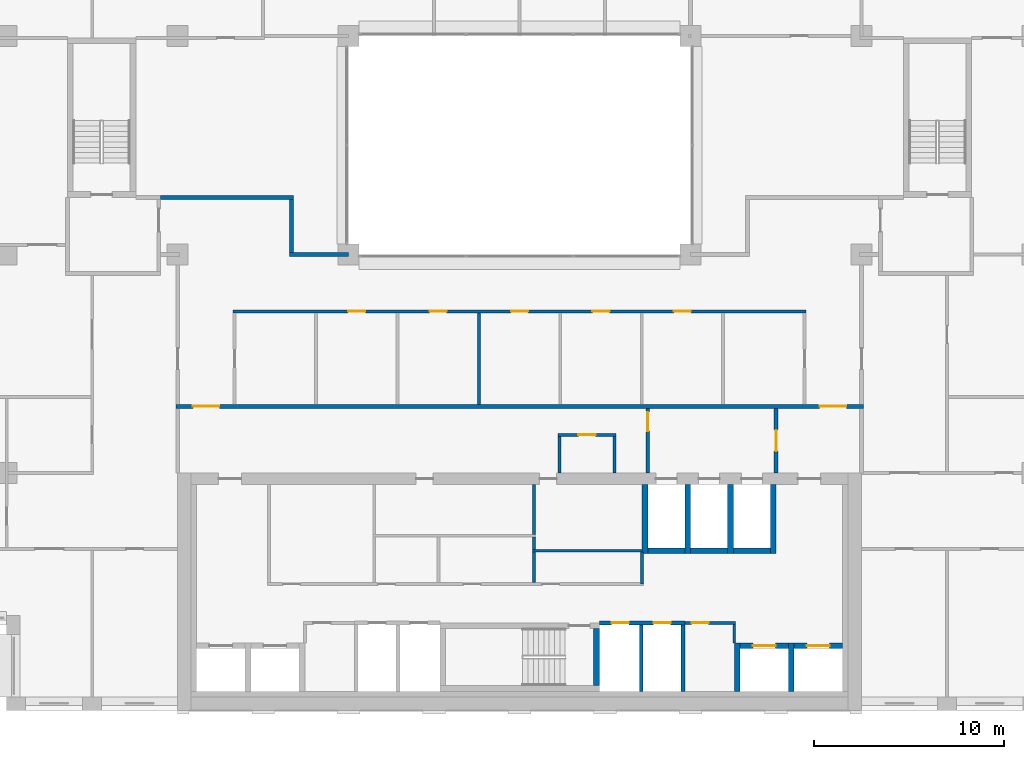
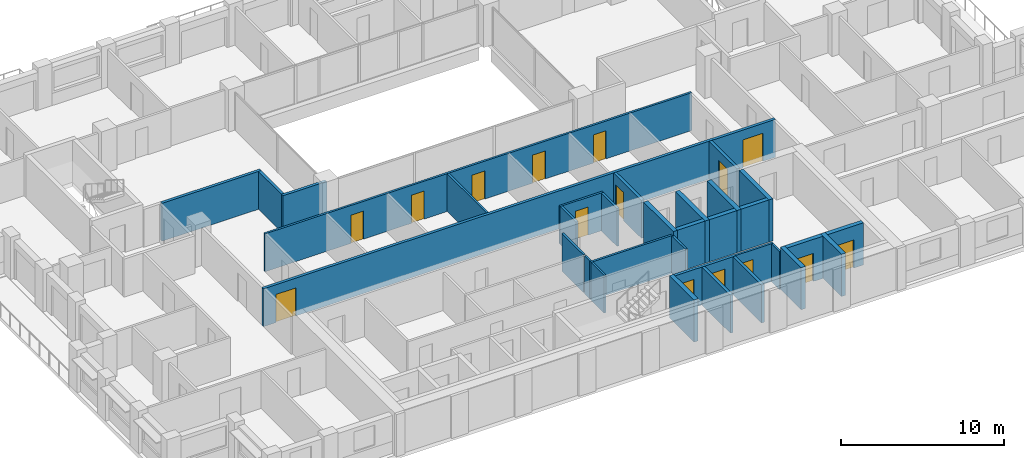
# One storey, part 10 of 15: 33 walls, 15 doors, 15 openings.
"""IFC4 building model written with IfcOpenShell, lengths in metres."""

from ifc_helpers import new_model, si_unit, direction, frame, frame_2d, origin, place, context, subcontext, project, spatial, rectangle, extrude, material, layer, layer_set, type_object, element, fill, save


model = new_model("IFC4")

# Units and contexts
model_context = context("Model", 3, precision=1e-05, world=origin(), true_north=direction((0.0, 1.0)))
body_context = subcontext(model_context, "Body", "Model", "MODEL_VIEW")
ifc_project = project(units=[si_unit("LENGTHUNIT", "METRE"), si_unit("AREAUNIT", "SQUARE_METRE"), si_unit("VOLUMEUNIT", "CUBIC_METRE"), si_unit("PLANEANGLEUNIT", "RADIAN"), si_unit("MASSUNIT", "GRAM", prefix="KILO")], contexts=[model_context])

# Site, building, storey
site_placement = place(None, origin())
site = spatial("IfcSite", under=ifc_project, at=site_placement, CompositionType="ELEMENT")
building_placement = place(site_placement, origin())
building = spatial("IfcBuilding", under=site, at=building_placement, Name="Brigalow Station Residences", CompositionType="ELEMENT")
storey_placement = place(building_placement, frame((0.0, 0.0, 175.949951171875)))
storey = spatial("IfcBuildingStorey", under=building, at=storey_placement, Name="L51", CompositionType="ELEMENT", Elevation=175.949951171875)

# Walls
ifc_material_1 = material(Name="Concrete C65", Category="concrete")
ifc_layer_1 = layer(ifc_material_1, 0.300048828125)
ifc_layer_set_1 = layer_set([ifc_layer_1], Name="CORE SHEAR WALL 300 C65")
wall_type_1 = type_object("IfcWallType", Name="CORE SHEAR WALL 300 C65", PredefinedType="SHEAR", material=ifc_layer_set_1)
wall_1_placement = place(storey_placement, frame((42.75, 8.39990234375, 0.0), z_axis=(0.0, 0.0, 1.0), x_axis=(1.0, 0.0, 0.0)))
element("IfcWall", 1, at=wall_1_placement, inside=storey, type_object=wall_type_1, Name="CORE WALL SH-FF1-S L51", PredefinedType="SHEAR", context=body_context, shape_type="SweptSolid", body=[
    extrude(rectangle(XDim=1.949951171875, YDim=0.300048828125, at=frame_2d((0.97509765625, 0.0))), origin(), (0.0, 0.0, 1.0), 3.150146484375),
])
wall_2_placement = place(storey_placement, frame((42.60009765625, 8.25, 0.0), z_axis=(0.0, 0.0, 1.0), x_axis=(0.0, 1.0, 0.0)))
element("IfcWall", 2, at=wall_2_placement, inside=storey, type_object=wall_type_1, Name="CORE WALL SH-FF1-W L51", PredefinedType="SHEAR", context=body_context, shape_type="SweptSolid", body=[
    extrude(rectangle(XDim=3.64990234375, YDim=0.300048828125, at=frame_2d((1.824951171875, 0.0))), origin(), (0.0, 0.0, 1.0), 3.150146484375),
])
wall_3_placement = place(storey_placement, frame((45.0, 8.39990234375, 0.0), z_axis=(0.0, 0.0, 1.0), x_axis=(1.0, 0.0, 0.0)))
element("IfcWall", 3, at=wall_3_placement, inside=storey, type_object=wall_type_1, Name="CORE WALL SH-FF2-S L51", PredefinedType="SHEAR", context=body_context, shape_type="SweptSolid", body=[
    extrude(rectangle(XDim=1.949951171875, YDim=0.300048828125, at=frame_2d((0.97509765625, 0.0))), origin(), (0.0, 0.0, 1.0), 3.150146484375),
])
wall_4_placement = place(storey_placement, frame((44.85009765625, 8.25, 0.0), z_axis=(0.0, 0.0, 1.0), x_axis=(0.0, 1.0, 0.0)))
element("IfcWall", 4, at=wall_4_placement, inside=storey, type_object=wall_type_1, Name="CORE WALL SH-FF2-W L51", PredefinedType="SHEAR", context=body_context, shape_type="SweptSolid", body=[
    extrude(rectangle(XDim=3.64990234375, YDim=0.300048828125, at=frame_2d((1.824951171875, 0.0))), origin(), (0.0, 0.0, 1.0), 3.150146484375),
])
wall_5_placement = place(storey_placement, frame((47.25, 8.39990234375, 0.0), z_axis=(0.0, 0.0, 1.0), x_axis=(1.0, 0.0, 0.0)))
element("IfcWall", 5, at=wall_5_placement, inside=storey, type_object=wall_type_1, Name="CORE WALL SH-SL1-S L51", PredefinedType="SHEAR", context=body_context, shape_type="SweptSolid", body=[
    extrude(rectangle(XDim=1.949951171875, YDim=0.300048828125, at=frame_2d((0.97509765625, 0.0))), origin(), (0.0, 0.0, 1.0), 3.150146484375),
])
for number, where, z_axis, x_axis, name in (
    (6, (47.10009765625, 8.25, 0.0), (0.0, 0.0, 1.0), (0.0, 1.0, 0.0), "CORE WALL SH-SL1-W L51"),
    (7, (49.35009765625, 8.25, 0.0), (0.0, 0.0, 1.0), (0.0, 1.0, 0.0), "CORE WALL SH-SL1-E L51"),
):
    element("IfcWall", number, at=place(storey_placement, frame(where, z_axis=z_axis, x_axis=x_axis)), inside=storey, type_object=wall_type_1, Name=name, PredefinedType="SHEAR", context=body_context, shape_type="SweptSolid", body=[
        extrude(rectangle(XDim=3.64990234375, YDim=0.300048828125, at=frame_2d((1.824951171875, 0.0))), origin(), (0.0, 0.0, 1.0), 3.150146484375),
    ])

# Wall, opening, door
wall_6_placement = place(storey_placement, frame((47.60009765625, 3.39990234375, 0.0), z_axis=(0.0, 0.0, 1.0), x_axis=(1.0, 0.0, 0.0)))
wall_6 = element("IfcWall", 8, at=wall_6_placement, inside=storey, type_object=wall_type_1, Name="CORE WALL SH-C3-N L51", PredefinedType="SHEAR", context=body_context, shape_type="SweptSolid", body=[
    extrude(rectangle(XDim=2.5498046875, YDim=0.300048828125, at=frame_2d((1.27490234375, 0.0))), origin(), (0.0, 0.0, 1.0), 3.150146484375),
])
opening_1_placement = place(wall_6_placement, frame((0.675048828125, 0.0, 0.0)))
opening_1 = element("IfcOpeningElement", 9, at=opening_1_placement, cuts=wall_6, Name="Opening LD-LB3", PredefinedType="OPENING", context=body_context, shape_type="SweptSolid", body=[
    extrude(rectangle(XDim=1.199951171875, YDim=2.10009765625, at=frame_2d((0.60009765625, 1.050048828125))), frame((0.0, 0.16015625, 0.0), z_axis=(0.0, -1.0, 0.0), x_axis=(1.0, 0.0, 0.0)), (0.0, 0.0, 1.0), 0.320068359375),
])
ifc_material_2 = material(Name="Stainless steel sliding door leaves", Category="steel")
door_type_1 = type_object("IfcDoorType", Name="LIFT LANDING DOOR 1200 x 2100", OperationType="DOUBLE_DOOR_SLIDING", PredefinedType="DOOR", material=ifc_material_2)
door_1_placement = place(opening_1_placement, origin())
door_1 = element("IfcDoor", 10, at=door_1_placement, inside=storey, type_object=door_type_1, Name="LANDING DOOR LB3", OperationType="DOUBLE_DOOR_SLIDING", OverallHeight=2.10009765625, OverallWidth=1.199951171875, PredefinedType="DOOR", context=body_context, shape_type="SweptSolid", body=[
    extrude(rectangle(XDim=1.199951171875, YDim=2.10009765625, at=frame_2d((0.60009765625, 1.050048828125))), frame((0.0, 0.02490234375, 0.0), z_axis=(0.0, -1.0, 0.0), x_axis=(1.0, 0.0, 0.0)), (0.0, 0.0, 1.0), 0.050048828125),
])
fill(opening_1, door_1)

# Wall
wall_7_placement = place(storey_placement, frame((47.449951171875, 1.0, 0.0), z_axis=(0.0, 0.0, 1.0), x_axis=(0.0, 1.0, 0.0)))
element("IfcWall", 11, at=wall_7_placement, inside=storey, type_object=wall_type_1, Name="CORE WALL SH-C3-W L51", PredefinedType="SHEAR", context=body_context, shape_type="SweptSolid", body=[
    extrude(rectangle(XDim=2.550048828125, YDim=0.300048828125, at=frame_2d((1.27490234375, 0.0))), origin(), (0.0, 0.0, 1.0), 3.150146484375),
])

# Wall, opening, door
wall_8_placement = place(storey_placement, frame((50.449951171875, 3.39990234375, 0.0), z_axis=(0.0, 0.0, 1.0), x_axis=(1.0, 0.0, 0.0)))
wall_8 = element("IfcWall", 12, at=wall_8_placement, inside=storey, type_object=wall_type_1, Name="CORE WALL SH-C4-N L51", PredefinedType="SHEAR", context=body_context, shape_type="SweptSolid", body=[
    extrude(rectangle(XDim=2.550048828125, YDim=0.300048828125, at=frame_2d((1.27490234375, 0.0))), origin(), (0.0, 0.0, 1.0), 3.150146484375),
])
opening_2_placement = place(wall_8_placement, frame((0.675048828125, 0.0, 0.0)))
opening_2 = element("IfcOpeningElement", 13, at=opening_2_placement, cuts=wall_8, Name="Opening LD-LB4", PredefinedType="OPENING", context=body_context, shape_type="SweptSolid", body=[
    extrude(rectangle(XDim=1.199951171875, YDim=2.10009765625, at=frame_2d((0.60009765625, 1.050048828125))), frame((0.0, 0.16015625, 0.0), z_axis=(0.0, -1.0, 0.0), x_axis=(1.0, 0.0, 0.0)), (0.0, 0.0, 1.0), 0.320068359375),
])
door_2_placement = place(opening_2_placement, origin())
door_2 = element("IfcDoor", 14, at=door_2_placement, inside=storey, type_object=door_type_1, Name="LANDING DOOR LB4", OperationType="DOUBLE_DOOR_SLIDING", OverallHeight=2.10009765625, OverallWidth=1.199951171875, PredefinedType="DOOR", context=body_context, shape_type="SweptSolid", body=[
    extrude(rectangle(XDim=1.199951171875, YDim=2.10009765625, at=frame_2d((0.60009765625, 1.050048828125))), frame((0.0, 0.02490234375, 0.0), z_axis=(0.0, -1.0, 0.0), x_axis=(1.0, 0.0, 0.0)), (0.0, 0.0, 1.0), 0.050048828125),
])
fill(opening_2, door_2)

# Walls
wall_9_placement = place(storey_placement, frame((50.300048828125, 1.0, 0.0), z_axis=(0.0, 0.0, 1.0), x_axis=(0.0, 1.0, 0.0)))
element("IfcWall", 15, at=wall_9_placement, inside=storey, type_object=wall_type_1, Name="CORE WALL SH-C4-W L51", PredefinedType="SHEAR", context=body_context, shape_type="SweptSolid", body=[
    extrude(rectangle(XDim=2.550048828125, YDim=0.300048828125, at=frame_2d((1.27490234375, 0.0))), origin(), (0.0, 0.0, 1.0), 3.150146484375),
])
wall_10_placement = place(storey_placement, frame((40.050048828125, 1.300048828125, 0.0), z_axis=(0.0, 0.0, 1.0), x_axis=(0.0, 1.0, 0.0)))
element("IfcWall", 16, at=wall_10_placement, inside=storey, type_object=wall_type_1, Name="CORE WALL ST-S2-E L51", PredefinedType="SHEAR", context=body_context, shape_type="SweptSolid", body=[
    extrude(rectangle(XDim=3.0, YDim=0.300048828125, at=frame_2d((1.5, 0.0))), origin(), (0.0, 0.0, 1.0), 3.150146484375),
])

# Wall, openings, doors
ifc_material_3 = material(Name="Concrete blockwork", Category="masonry")
ifc_layer_2 = layer(ifc_material_3, 0.199951171875)
ifc_layer_set_2 = layer_set([ifc_layer_2], Name="FIRE RATED CORE PARTITION 200")
wall_type_2 = type_object("IfcWallType", Name="FIRE RATED CORE PARTITION 200", PredefinedType="PARTITIONING", material=ifc_layer_set_2)
wall_11_placement = place(storey_placement, frame((40.199951171875, 4.60009765625, 0.0), z_axis=(0.0, 0.0, 1.0), x_axis=(1.0, 0.0, 0.0)))
wall_11 = element("IfcWall", 17, at=wall_11_placement, inside=storey, type_object=wall_type_2, Name="PW-5018", PredefinedType="PARTITIONING", context=body_context, shape_type="SweptSolid", body=[
    extrude(rectangle(XDim=4.5, YDim=0.199951171875, at=frame_2d((2.25, 0.0))), origin(), (0.0, 0.0, 1.0), 2.830078125),
])
opening_3_placement = place(wall_11_placement, frame((0.64990234375, 0.0, 0.0)))
opening_3 = element("IfcOpeningElement", 18, at=opening_3_placement, cuts=wall_11, Name="Opening D-5009", PredefinedType="OPENING", context=body_context, shape_type="SweptSolid", body=[
    extrude(rectangle(XDim=0.89990234375, YDim=2.10009765625, at=frame_2d((0.449951171875, 1.050048828125))), frame((0.0, 0.10986328125, 0.0), z_axis=(0.0, -1.0, 0.0), x_axis=(1.0, 0.0, 0.0)), (0.0, 0.0, 1.0), 0.219970703125),
])
opening_4_placement = place(wall_11_placement, frame((2.85009765625, 0.0, 0.0)))
opening_4 = element("IfcOpeningElement", 19, at=opening_4_placement, cuts=wall_11, Name="Opening D-5010", PredefinedType="OPENING", context=body_context, shape_type="SweptSolid", body=[
    extrude(rectangle(XDim=0.89990234375, YDim=2.10009765625, at=frame_2d((0.449951171875, 1.050048828125))), frame((0.0, 0.10986328125, 0.0), z_axis=(0.0, -1.0, 0.0), x_axis=(1.0, 0.0, 0.0)), (0.0, 0.0, 1.0), 0.219970703125),
])
ifc_material_4 = material(Name="Steel fire door leaf in steel frame", Category="steel")
door_type_2 = type_object("IfcDoorType", Name="RISER ACCESS DOOR 900 x 2100 FD120", OperationType="SINGLE_SWING_LEFT", PredefinedType="DOOR", material=ifc_material_4)
door_3_placement = place(opening_3_placement, frame((0.89990234375, 0.0, 0.0), z_axis=(0.0, 0.0, 1.0), x_axis=(-1.0, 0.0, 0.0)))
door_3 = element("IfcDoor", 20, at=door_3_placement, inside=storey, type_object=door_type_2, Name="D-5009", OperationType="SINGLE_SWING_LEFT", OverallHeight=2.10009765625, OverallWidth=0.89990234375, PredefinedType="DOOR", context=body_context, shape_type="SweptSolid", body=[
    extrude(rectangle(XDim=0.89990234375, YDim=2.10009765625, at=frame_2d((0.449951171875, 1.050048828125))), frame((0.0, 0.02490234375, 0.0), z_axis=(0.0, -1.0, 0.0), x_axis=(1.0, 0.0, 0.0)), (0.0, 0.0, 1.0), 0.050048828125),
])
fill(opening_3, door_3)
door_4_placement = place(opening_4_placement, frame((0.89990234375, 0.0, 0.0), z_axis=(0.0, 0.0, 1.0), x_axis=(-1.0, 0.0, 0.0)))
door_4 = element("IfcDoor", 21, at=door_4_placement, inside=storey, type_object=door_type_2, Name="D-5010", OperationType="SINGLE_SWING_LEFT", OverallHeight=2.10009765625, OverallWidth=0.89990234375, PredefinedType="DOOR", context=body_context, shape_type="SweptSolid", body=[
    extrude(rectangle(XDim=0.89990234375, YDim=2.10009765625, at=frame_2d((0.449951171875, 1.050048828125))), frame((0.0, 0.02490234375, 0.0), z_axis=(0.0, -1.0, 0.0), x_axis=(1.0, 0.0, 0.0)), (0.0, 0.0, 1.0), 0.050048828125),
])
fill(opening_4, door_4)

# Walls
for number, where, z_axis, x_axis, name in (
    (22, (42.39990234375, 1.0, 0.0), (0.0, 0.0, 1.0), (0.0, 1.0, 0.0), "PW-5007"),
    (23, (44.60009765625, 1.0, 0.0), (0.0, 0.0, 1.0), (0.0, 1.0, 0.0), "PW-5008"),
):
    element("IfcWall", number, at=place(storey_placement, frame(where, z_axis=z_axis, x_axis=x_axis)), inside=storey, type_object=wall_type_2, Name=name, PredefinedType="PARTITIONING", context=body_context, shape_type="SweptSolid", body=[
        extrude(rectangle(XDim=3.5, YDim=0.199951171875, at=frame_2d((1.75, 0.0))), origin(), (0.0, 0.0, 1.0), 2.830078125),
    ])

# Wall, opening, door
wall_12_placement = place(storey_placement, frame((42.75, 12.5, 0.0), z_axis=(0.0, 0.0, 1.0), x_axis=(0.0, 1.0, 0.0)))
wall_12 = element("IfcWall", 24, at=wall_12_placement, inside=storey, type_object=wall_type_2, Name="PW-5014", PredefinedType="PARTITIONING", context=body_context, shape_type="SweptSolid", body=[
    extrude(rectangle(XDim=3.39990234375, YDim=0.199951171875, at=frame_2d((1.699951171875, 0.0))), origin(), (0.0, 0.0, 1.0), 2.830078125),
])
opening_5_placement = place(wall_12_placement, frame((2.199951171875, 0.0, 0.0)))
opening_5 = element("IfcOpeningElement", 25, at=opening_5_placement, cuts=wall_12, Name="Opening D-5013", PredefinedType="OPENING", context=body_context, shape_type="SweptSolid", body=[
    extrude(rectangle(XDim=1.0, YDim=2.10009765625, at=frame_2d((0.5, 1.050048828125))), frame((0.0, 0.10986328125, 0.0), z_axis=(0.0, -1.0, 0.0), x_axis=(1.0, 0.0, 0.0)), (0.0, 0.0, 1.0), 0.219970703125),
])
ifc_material_5 = material(Name="Steel fire door leaf in steel frame", Category="steel")
door_type_3 = type_object("IfcDoorType", Name="LOBBY DOOR 1000 x 2100 FD60S", OperationType="SINGLE_SWING_LEFT", PredefinedType="DOOR", material=ifc_material_5)
door_5_placement = place(opening_5_placement, origin())
door_5 = element("IfcDoor", 26, at=door_5_placement, inside=storey, type_object=door_type_3, Name="D-5013", OperationType="SINGLE_SWING_RIGHT", OverallHeight=2.10009765625, OverallWidth=1.0, PredefinedType="DOOR", context=body_context, shape_type="SweptSolid", body=[
    extrude(rectangle(XDim=1.0, YDim=2.10009765625, at=frame_2d((0.5, 1.050048828125))), frame((0.0, 0.02490234375, 0.0), z_axis=(0.0, -1.0, 0.0), x_axis=(1.0, 0.0, 0.0)), (0.0, 0.0, 1.0), 0.050048828125),
])
fill(opening_5, door_5)

wall_13_placement = place(storey_placement, frame((49.5, 12.5, 0.0), z_axis=(0.0, 0.0, 1.0), x_axis=(0.0, 1.0, 0.0)))
wall_13 = element("IfcWall", 27, at=wall_13_placement, inside=storey, type_object=wall_type_2, Name="PW-5015", PredefinedType="PARTITIONING", context=body_context, shape_type="SweptSolid", body=[
    extrude(rectangle(XDim=3.39990234375, YDim=0.199951171875, at=frame_2d((1.699951171875, 0.0))), origin(), (0.0, 0.0, 1.0), 2.830078125),
])
opening_6_placement = place(wall_13_placement, frame((1.14990234375, 0.0, 0.0)))
opening_6 = element("IfcOpeningElement", 28, at=opening_6_placement, cuts=wall_13, Name="Opening D-5014", PredefinedType="OPENING", context=body_context, shape_type="SweptSolid", body=[
    extrude(rectangle(XDim=1.10009765625, YDim=2.10009765625, at=frame_2d((0.550048828125, 1.050048828125))), frame((0.0, 0.10986328125, 0.0), z_axis=(0.0, -1.0, 0.0), x_axis=(1.0, 0.0, 0.0)), (0.0, 0.0, 1.0), 0.219970703125),
])
ifc_material_6 = material(Name="Steel fire door leaf in steel frame", Category="steel")
door_type_4 = type_object("IfcDoorType", Name="LOBBY DOOR 1100 x 2100 FD60S", OperationType="SINGLE_SWING_LEFT", PredefinedType="DOOR", material=ifc_material_6)
door_6_placement = place(opening_6_placement, origin())
door_6 = element("IfcDoor", 29, at=door_6_placement, inside=storey, type_object=door_type_4, Name="D-5014", OperationType="SINGLE_SWING_LEFT", OverallHeight=2.10009765625, OverallWidth=1.10009765625, PredefinedType="DOOR", context=body_context, shape_type="SweptSolid", body=[
    extrude(rectangle(XDim=1.10009765625, YDim=2.10009765625, at=frame_2d((0.550048828125, 1.050048828125))), frame((0.0, 0.02490234375, 0.0), z_axis=(0.0, -1.0, 0.0), x_axis=(1.0, 0.0, 0.0)), (0.0, 0.0, 1.0), 0.050048828125),
])
fill(opening_6, door_6)

# Wall, openings, doors
ifc_material_7 = material(Name="Plasterboard on steel stud partition", Category="steel")
ifc_layer_3 = layer(ifc_material_7, 0.14990234375)
ifc_layer_set_3 = layer_set([ifc_layer_3], Name="FLAT PARTITION 150")
wall_type_3 = type_object("IfcWallType", Name="FLAT PARTITION 150", PredefinedType="PARTITIONING", material=ifc_layer_set_3)
wall_14_placement = place(storey_placement, frame((20.925048828125, 21.0, 0.0), z_axis=(0.0, 0.0, 1.0), x_axis=(1.0, 0.0, 0.0)))
wall_14 = element("IfcWall", 30, at=wall_14_placement, inside=storey, type_object=wall_type_3, Name="PW-3E06", PredefinedType="PARTITIONING", context=body_context, shape_type="SweptSolid", body=[
    extrude(rectangle(XDim=30.14990234375, YDim=0.14990234375, at=frame_2d((15.074951171875, 0.0))), origin(), (0.0, 0.0, 1.0), 2.830078125),
])
opening_7_placement = place(wall_14_placement, frame((6.052978515625, 0.0, 0.0)))
opening_7 = element("IfcOpeningElement", 31, at=opening_7_placement, cuts=wall_14, Name="Opening D-3E36", PredefinedType="OPENING", context=body_context, shape_type="SweptSolid", body=[
    extrude(rectangle(XDim=0.89990234375, YDim=2.10009765625, at=frame_2d((0.449951171875, 1.050048828125))), frame((0.0, 0.0849609375, 0.0), z_axis=(0.0, -1.0, 0.0), x_axis=(1.0, 0.0, 0.0)), (0.0, 0.0, 1.0), 0.169921875),
])
opening_8_placement = place(wall_14_placement, frame((10.339111328125, 0.0, 0.0)))
opening_8 = element("IfcOpeningElement", 32, at=opening_8_placement, cuts=wall_14, Name="Opening D-3E37", PredefinedType="OPENING", context=body_context, shape_type="SweptSolid", body=[
    extrude(rectangle(XDim=0.89990234375, YDim=2.10009765625, at=frame_2d((0.449951171875, 1.050048828125))), frame((0.0, 0.0849609375, 0.0), z_axis=(0.0, -1.0, 0.0), x_axis=(1.0, 0.0, 0.0)), (0.0, 0.0, 1.0), 0.169921875),
])
opening_9_placement = place(wall_14_placement, frame((14.625, 0.0, 0.0)))
opening_9 = element("IfcOpeningElement", 33, at=opening_9_placement, cuts=wall_14, Name="Opening D-3E38", PredefinedType="OPENING", context=body_context, shape_type="SweptSolid", body=[
    extrude(rectangle(XDim=0.89990234375, YDim=2.10009765625, at=frame_2d((0.449951171875, 1.050048828125))), frame((0.0, 0.0849609375, 0.0), z_axis=(0.0, -1.0, 0.0), x_axis=(1.0, 0.0, 0.0)), (0.0, 0.0, 1.0), 0.169921875),
])
opening_10_placement = place(wall_14_placement, frame((18.910888671875, 0.0, 0.0)))
opening_10 = element("IfcOpeningElement", 34, at=opening_10_placement, cuts=wall_14, Name="Opening D-3E39", PredefinedType="OPENING", context=body_context, shape_type="SweptSolid", body=[
    extrude(rectangle(XDim=0.89990234375, YDim=2.10009765625, at=frame_2d((0.449951171875, 1.050048828125))), frame((0.0, 0.0849609375, 0.0), z_axis=(0.0, -1.0, 0.0), x_axis=(1.0, 0.0, 0.0)), (0.0, 0.0, 1.0), 0.169921875),
])
opening_11_placement = place(wall_14_placement, frame((23.197021484375, 0.0, 0.0)))
opening_11 = element("IfcOpeningElement", 35, at=opening_11_placement, cuts=wall_14, Name="Opening D-3E40", PredefinedType="OPENING", context=body_context, shape_type="SweptSolid", body=[
    extrude(rectangle(XDim=0.89990234375, YDim=2.10009765625, at=frame_2d((0.449951171875, 1.050048828125))), frame((0.0, 0.0849609375, 0.0), z_axis=(0.0, -1.0, 0.0), x_axis=(1.0, 0.0, 0.0)), (0.0, 0.0, 1.0), 0.169921875),
])
ifc_material_8 = material(Name="Solid-core timber door leaf", Category="wood")
door_type_5 = type_object("IfcDoorType", Name="INTERNAL DOOR 900 x 2100", OperationType="SINGLE_SWING_LEFT", PredefinedType="DOOR", material=ifc_material_8)
door_7_placement = place(opening_7_placement, frame((0.89990234375, 0.0, 0.0), z_axis=(0.0, 0.0, 1.0), x_axis=(-1.0, 0.0, 0.0)))
door_7 = element("IfcDoor", 36, at=door_7_placement, inside=storey, type_object=door_type_5, Name="D-3E36", OperationType="SINGLE_SWING_RIGHT", OverallHeight=2.10009765625, OverallWidth=0.89990234375, PredefinedType="DOOR", context=body_context, shape_type="SweptSolid", body=[
    extrude(rectangle(XDim=0.89990234375, YDim=2.10009765625, at=frame_2d((0.449951171875, 1.050048828125))), frame((0.0, 0.02490234375, 0.0), z_axis=(0.0, -1.0, 0.0), x_axis=(1.0, 0.0, 0.0)), (0.0, 0.0, 1.0), 0.050048828125),
])
fill(opening_7, door_7)
door_8_placement = place(opening_8_placement, frame((0.89990234375, 0.0, 0.0), z_axis=(0.0, 0.0, 1.0), x_axis=(-1.0, 0.0, 0.0)))
door_8 = element("IfcDoor", 37, at=door_8_placement, inside=storey, type_object=door_type_5, Name="D-3E37", OperationType="SINGLE_SWING_RIGHT", OverallHeight=2.10009765625, OverallWidth=0.89990234375, PredefinedType="DOOR", context=body_context, shape_type="SweptSolid", body=[
    extrude(rectangle(XDim=0.89990234375, YDim=2.10009765625, at=frame_2d((0.449951171875, 1.050048828125))), frame((0.0, 0.02490234375, 0.0), z_axis=(0.0, -1.0, 0.0), x_axis=(1.0, 0.0, 0.0)), (0.0, 0.0, 1.0), 0.050048828125),
])
fill(opening_8, door_8)
door_9_placement = place(opening_9_placement, frame((0.89990234375, 0.0, 0.0), z_axis=(0.0, 0.0, 1.0), x_axis=(-1.0, 0.0, 0.0)))
door_9 = element("IfcDoor", 38, at=door_9_placement, inside=storey, type_object=door_type_5, Name="D-3E38", OperationType="SINGLE_SWING_LEFT", OverallHeight=2.10009765625, OverallWidth=0.89990234375, PredefinedType="DOOR", context=body_context, shape_type="SweptSolid", body=[
    extrude(rectangle(XDim=0.89990234375, YDim=2.10009765625, at=frame_2d((0.449951171875, 1.050048828125))), frame((0.0, 0.02490234375, 0.0), z_axis=(0.0, -1.0, 0.0), x_axis=(1.0, 0.0, 0.0)), (0.0, 0.0, 1.0), 0.050048828125),
])
fill(opening_9, door_9)
door_10_placement = place(opening_10_placement, frame((0.89990234375, 0.0, 0.0), z_axis=(0.0, 0.0, 1.0), x_axis=(-1.0, 0.0, 0.0)))
door_10 = element("IfcDoor", 39, at=door_10_placement, inside=storey, type_object=door_type_5, Name="D-3E39", OperationType="SINGLE_SWING_LEFT", OverallHeight=2.10009765625, OverallWidth=0.89990234375, PredefinedType="DOOR", context=body_context, shape_type="SweptSolid", body=[
    extrude(rectangle(XDim=0.89990234375, YDim=2.10009765625, at=frame_2d((0.449951171875, 1.050048828125))), frame((0.0, 0.02490234375, 0.0), z_axis=(0.0, -1.0, 0.0), x_axis=(1.0, 0.0, 0.0)), (0.0, 0.0, 1.0), 0.050048828125),
])
fill(opening_10, door_10)
door_11_placement = place(opening_11_placement, frame((0.89990234375, 0.0, 0.0), z_axis=(0.0, 0.0, 1.0), x_axis=(-1.0, 0.0, 0.0)))
door_11 = element("IfcDoor", 40, at=door_11_placement, inside=storey, type_object=door_type_5, Name="D-3E40", OperationType="SINGLE_SWING_LEFT", OverallHeight=2.10009765625, OverallWidth=0.89990234375, PredefinedType="DOOR", context=body_context, shape_type="SweptSolid", body=[
    extrude(rectangle(XDim=0.89990234375, YDim=2.10009765625, at=frame_2d((0.449951171875, 1.050048828125))), frame((0.0, 0.02490234375, 0.0), z_axis=(0.0, -1.0, 0.0), x_axis=(1.0, 0.0, 0.0)), (0.0, 0.0, 1.0), 0.050048828125),
])
fill(opening_11, door_11)

# Walls
wall_15_placement = place(storey_placement, frame((33.85693359375, 16.10009765625, 0.0), z_axis=(0.0, 0.0, 1.0), x_axis=(0.0, 1.0, 0.0)))
element("IfcWall", 41, at=wall_15_placement, inside=storey, type_object=wall_type_3, Name="PW-3E53", PredefinedType="PARTITIONING", context=body_context, shape_type="SweptSolid", body=[
    extrude(rectangle(XDim=4.824951171875, YDim=0.14990234375, at=frame_2d((2.41259765625, 0.0))), origin(), (0.0, 0.0, 1.0), 2.830078125),
])
ifc_material_9 = material(Name="Plasterboard on steel stud partition", Category="steel")
ifc_layer_4 = layer(ifc_material_9, 0.199951171875)
ifc_layer_set_4 = layer_set([ifc_layer_4], Name="PARTY AND CORRIDOR WALL 200")
wall_type_4 = type_object("IfcWallType", Name="PARTY AND CORRIDOR WALL 200", PredefinedType="PARTITIONING", material=ifc_layer_set_4)
wall_16_placement = place(storey_placement, frame((23.89990234375, 24.0, 0.0), z_axis=(0.0, 0.0, 1.0), x_axis=(1.0, 0.0, 0.0)))
element("IfcWall", 42, at=wall_16_placement, inside=storey, type_object=wall_type_4, Name="PW-3E03", PredefinedType="PARTITIONING", context=body_context, shape_type="SweptSolid", body=[
    extrude(rectangle(XDim=3.10009765625, YDim=0.199951171875, at=frame_2d((1.550048828125, 0.0))), origin(), (0.0, 0.0, 1.0), 2.830078125),
])
wall_17_placement = place(storey_placement, frame((17.10009765625, 27.0, 0.0), z_axis=(0.0, 0.0, 1.0), x_axis=(1.0, 0.0, 0.0)))
element("IfcWall", 43, at=wall_17_placement, inside=storey, type_object=wall_type_4, Name="PW-3E07", PredefinedType="PARTITIONING", context=body_context, shape_type="SweptSolid", body=[
    extrude(rectangle(XDim=7.0, YDim=0.199951171875, at=frame_2d((3.5, 0.0))), origin(), (0.0, 0.0, 1.0), 2.830078125),
])

# Wall, openings, doors
wall_18_placement = place(storey_placement, frame((17.89990234375, 16.0, 0.0), z_axis=(0.0, 0.0, 1.0), x_axis=(1.0, 0.0, 0.0)))
wall_18 = element("IfcWall", 44, at=wall_18_placement, inside=storey, type_object=wall_type_4, Name="PW-3E27", PredefinedType="PARTITIONING", context=body_context, shape_type="SweptSolid", body=[
    extrude(rectangle(XDim=36.2001953125, YDim=0.199951171875, at=frame_2d((18.10009765625, 0.0))), origin(), (0.0, 0.0, 1.0), 2.830078125),
])
opening_12_placement = place(wall_18_placement, frame((0.89990234375, 0.0, 0.0)))
opening_12 = element("IfcOpeningElement", 45, at=opening_12_placement, cuts=wall_18, Name="Opening D-3E01", PredefinedType="OPENING", context=body_context, shape_type="SweptSolid", body=[
    extrude(rectangle(XDim=1.39990234375, YDim=2.10009765625, at=frame_2d((0.699951171875, 1.050048828125))), frame((0.0, 0.10986328125, 0.0), z_axis=(0.0, -1.0, 0.0), x_axis=(1.0, 0.0, 0.0)), (0.0, 0.0, 1.0), 0.219970703125),
])
opening_13_placement = place(wall_18_placement, frame((33.89990234375, 0.0, 0.0)))
opening_13 = element("IfcOpeningElement", 46, at=opening_13_placement, cuts=wall_18, Name="Opening D-3E02", PredefinedType="OPENING", context=body_context, shape_type="SweptSolid", body=[
    extrude(rectangle(XDim=1.39990234375, YDim=2.10009765625, at=frame_2d((0.699951171875, 1.050048828125))), frame((0.0, 0.10986328125, 0.0), z_axis=(0.0, -1.0, 0.0), x_axis=(1.0, 0.0, 0.0)), (0.0, 0.0, 1.0), 0.219970703125),
])
ifc_material_10 = material(Name="Solid-core timber door leaf", Category="wood")
door_type_6 = type_object("IfcDoorType", Name="CORRIDOR FIRE DOOR 1400 x 2100 FRL -/60/30", OperationType="DOUBLE_DOOR_SINGLE_SWING", PredefinedType="DOOR", material=ifc_material_10)
door_12_placement = place(opening_12_placement, frame((1.39990234375, 0.0, 0.0), z_axis=(0.0, 0.0, 1.0), x_axis=(-1.0, 0.0, 0.0)))
door_12 = element("IfcDoor", 47, at=door_12_placement, inside=storey, type_object=door_type_6, Name="D-3E01", OperationType="DOUBLE_DOOR_SINGLE_SWING", OverallHeight=2.10009765625, OverallWidth=1.39990234375, PredefinedType="DOOR", context=body_context, shape_type="SweptSolid", body=[
    extrude(rectangle(XDim=1.39990234375, YDim=2.10009765625, at=frame_2d((0.699951171875, 1.050048828125))), frame((0.0, 0.02490234375, 0.0), z_axis=(0.0, -1.0, 0.0), x_axis=(1.0, 0.0, 0.0)), (0.0, 0.0, 1.0), 0.050048828125),
])
fill(opening_12, door_12)
door_13_placement = place(opening_13_placement, frame((1.39990234375, 0.0, 0.0), z_axis=(0.0, 0.0, 1.0), x_axis=(-1.0, 0.0, 0.0)))
door_13 = element("IfcDoor", 48, at=door_13_placement, inside=storey, type_object=door_type_6, Name="D-3E02", OperationType="DOUBLE_DOOR_SINGLE_SWING", OverallHeight=2.10009765625, OverallWidth=1.39990234375, PredefinedType="DOOR", context=body_context, shape_type="SweptSolid", body=[
    extrude(rectangle(XDim=1.39990234375, YDim=2.10009765625, at=frame_2d((0.699951171875, 1.050048828125))), frame((0.0, 0.02490234375, 0.0), z_axis=(0.0, -1.0, 0.0), x_axis=(1.0, 0.0, 0.0)), (0.0, 0.0, 1.0), 0.050048828125),
])
fill(opening_13, door_13)

# Wall
wall_19_placement = place(storey_placement, frame((24.0, 24.10009765625, 0.0), z_axis=(0.0, 0.0, 1.0), x_axis=(0.0, 1.0, 0.0)))
element("IfcWall", 49, at=wall_19_placement, inside=storey, type_object=wall_type_4, Name="PW-3E33", PredefinedType="PARTITIONING", context=body_context, shape_type="SweptSolid", body=[
    extrude(rectangle(XDim=2.7998046875, YDim=0.199951171875, at=frame_2d((1.39990234375, 0.0))), origin(), (0.0, 0.0, 1.0), 2.830078125),
])

# Wall, opening, door
ifc_material_11 = material(Name="Plasterboard on steel studs", Category="steel")
ifc_layer_5 = layer(ifc_material_11, 0.14990234375)
ifc_layer_set_5 = layer_set([ifc_layer_5], Name="SERVICE ROOM PARTITION 150")
wall_type_5 = type_object("IfcWallType", Name="SERVICE ROOM PARTITION 150", PredefinedType="PARTITIONING", material=ifc_layer_set_5)
wall_20_placement = place(storey_placement, frame((44.699951171875, 4.60009765625, 0.0), z_axis=(0.0, 0.0, 1.0), x_axis=(1.0, 0.0, 0.0)))
wall_20 = element("IfcWall", 50, at=wall_20_placement, inside=storey, type_object=wall_type_5, Name="PW-5156", PredefinedType="PARTITIONING", context=body_context, shape_type="SweptSolid", body=[
    extrude(rectangle(XDim=2.675048828125, YDim=0.14990234375, at=frame_2d((1.33740234375, 0.0))), origin(), (0.0, 0.0, 1.0), 2.830078125),
])
opening_14_placement = place(wall_20_placement, frame((0.35009765625, 0.0, 0.0)))
opening_14 = element("IfcOpeningElement", 51, at=opening_14_placement, cuts=wall_20, Name="Opening D-5026", PredefinedType="OPENING", context=body_context, shape_type="SweptSolid", body=[
    extrude(rectangle(XDim=0.89990234375, YDim=2.10009765625, at=frame_2d((0.449951171875, 1.050048828125))), frame((0.0, 0.0849609375, 0.0), z_axis=(0.0, -1.0, 0.0), x_axis=(1.0, 0.0, 0.0)), (0.0, 0.0, 1.0), 0.169921875),
])
ifc_material_12 = material(Name="Steel door leaf in steel frame", Category="steel")
door_type_7 = type_object("IfcDoorType", Name="SERVICE ROOM DOOR 900 x 2100 FD60", OperationType="SINGLE_SWING_LEFT", PredefinedType="DOOR", material=ifc_material_12)
door_14_placement = place(opening_14_placement, frame((0.89990234375, 0.0, 0.0), z_axis=(0.0, 0.0, 1.0), x_axis=(-1.0, 0.0, 0.0)))
door_14 = element("IfcDoor", 52, at=door_14_placement, inside=storey, type_object=door_type_7, Name="D-5026", OperationType="SINGLE_SWING_RIGHT", OverallHeight=2.10009765625, OverallWidth=0.89990234375, PredefinedType="DOOR", context=body_context, shape_type="SweptSolid", body=[
    extrude(rectangle(XDim=0.89990234375, YDim=2.10009765625, at=frame_2d((0.449951171875, 1.050048828125))), frame((0.0, 0.02490234375, 0.0), z_axis=(0.0, -1.0, 0.0), x_axis=(1.0, 0.0, 0.0)), (0.0, 0.0, 1.0), 0.050048828125),
])
fill(opening_14, door_14)

# Wall
wall_21_placement = place(storey_placement, frame((36.675048828125, 8.39990234375, 0.0), z_axis=(0.0, 0.0, 1.0), x_axis=(1.0, 0.0, 0.0)))
element("IfcWall", 53, at=wall_21_placement, inside=storey, type_object=wall_type_5, Name="PW-5204", PredefinedType="PARTITIONING", context=body_context, shape_type="SweptSolid", body=[
    extrude(rectangle(XDim=5.77490234375, YDim=0.14990234375, at=frame_2d((2.887451171875, 0.0))), origin(), (0.0, 0.0, 1.0), 2.830078125),
])

# Wall, opening, door
wall_22_placement = place(storey_placement, frame((38.02490234375, 14.5, 0.0), z_axis=(0.0, 0.0, 1.0), x_axis=(1.0, 0.0, 0.0)))
wall_22 = element("IfcWall", 54, at=wall_22_placement, inside=storey, type_object=wall_type_5, Name="PW-5138", PredefinedType="PARTITIONING", context=body_context, shape_type="SweptSolid", body=[
    extrude(rectangle(XDim=3.050048828125, YDim=0.14990234375, at=frame_2d((1.52490234375, 0.0))), origin(), (0.0, 0.0, 1.0), 2.830078125),
])
opening_15_placement = place(wall_22_placement, frame((1.074951171875, 0.0, 0.0)))
opening_15 = element("IfcOpeningElement", 55, at=opening_15_placement, cuts=wall_22, Name="Opening D-5079", PredefinedType="OPENING", context=body_context, shape_type="SweptSolid", body=[
    extrude(rectangle(XDim=0.89990234375, YDim=2.10009765625, at=frame_2d((0.449951171875, 1.050048828125))), frame((0.0, 0.0849609375, 0.0), z_axis=(0.0, -1.0, 0.0), x_axis=(1.0, 0.0, 0.0)), (0.0, 0.0, 1.0), 0.169921875),
])
door_15_placement = place(opening_15_placement, frame((0.89990234375, 0.0, 0.0), z_axis=(0.0, 0.0, 1.0), x_axis=(-1.0, 0.0, 0.0)))
door_15 = element("IfcDoor", 56, at=door_15_placement, inside=storey, type_object=door_type_7, Name="D-5079", OperationType="SINGLE_SWING_RIGHT", OverallHeight=2.10009765625, OverallWidth=0.89990234375, PredefinedType="DOOR", context=body_context, shape_type="SweptSolid", body=[
    extrude(rectangle(XDim=0.89990234375, YDim=2.10009765625, at=frame_2d((0.449951171875, 1.050048828125))), frame((0.0, 0.02490234375, 0.0), z_axis=(0.0, -1.0, 0.0), x_axis=(1.0, 0.0, 0.0)), (0.0, 0.0, 1.0), 0.050048828125),
])
fill(opening_15, door_15)

# Walls
wall_23_placement = place(storey_placement, frame((47.300048828125, 3.550048828125, 0.0), z_axis=(0.0, 0.0, 1.0), x_axis=(0.0, 1.0, 0.0)))
element("IfcWall", 57, at=wall_23_placement, inside=storey, type_object=wall_type_5, Name="PW-5158", PredefinedType="PARTITIONING", context=body_context, shape_type="SweptSolid", body=[
    extrude(rectangle(XDim=0.974853515625, YDim=0.14990234375, at=frame_2d((0.4873046875, 0.0))), origin(), (0.0, 0.0, 1.0), 2.830078125),
])
wall_24_placement = place(storey_placement, frame((42.449951171875, 6.64990234375, 0.0), z_axis=(0.0, 0.0, 1.0), x_axis=(0.0, 1.0, 0.0)))
element("IfcWall", 58, at=wall_24_placement, inside=storey, type_object=wall_type_5, Name="PW-5206", PredefinedType="PARTITIONING", context=body_context, shape_type="SweptSolid", body=[
    extrude(rectangle(XDim=1.675048828125, YDim=0.14990234375, at=frame_2d((0.83740234375, 0.0))), origin(), (0.0, 0.0, 1.0), 2.830078125),
])
wall_25_placement = place(storey_placement, frame((36.75, 6.72509765625, 0.0), z_axis=(0.0, 0.0, 1.0), x_axis=(0.0, 1.0, 0.0)))
element("IfcWall", 59, at=wall_25_placement, inside=storey, type_object=wall_type_5, Name="PW-5210", PredefinedType="PARTITIONING", context=body_context, shape_type="SweptSolid", body=[
    extrude(rectangle(XDim=1.599853515625, YDim=0.14990234375, at=frame_2d((0.7998046875, 0.0))), origin(), (0.0, 0.0, 1.0), 2.830078125),
])
wall_26_placement = place(storey_placement, frame((36.75, 8.47509765625, 0.0), z_axis=(0.0, 0.0, 1.0), x_axis=(0.0, 1.0, 0.0)))
element("IfcWall", 60, at=wall_26_placement, inside=storey, type_object=wall_type_5, Name="PW-5233", PredefinedType="PARTITIONING", context=body_context, shape_type="SweptSolid", body=[
    extrude(rectangle(XDim=0.639892578125, YDim=0.14990234375, at=frame_2d((0.31982421875, 0.0))), origin(), (0.0, 0.0, 1.0), 2.830078125),
])
wall_27_placement = place(storey_placement, frame((36.75, 9.264892578125, 0.0), z_axis=(0.0, 0.0, 1.0), x_axis=(0.0, 1.0, 0.0)))
element("IfcWall", 61, at=wall_27_placement, inside=storey, type_object=wall_type_5, Name="PW-5235", PredefinedType="PARTITIONING", context=body_context, shape_type="SweptSolid", body=[
    extrude(rectangle(XDim=2.635009765625, YDim=0.14990234375, at=frame_2d((1.3173828125, 0.0))), origin(), (0.0, 0.0, 1.0), 2.830078125),
])
for number, where, z_axis, x_axis, name in (
    (62, (38.10009765625, 12.5, 0.0), (0.0, 0.0, 1.0), (0.0, 1.0, 0.0), "PW-5139"),
    (63, (41.0, 12.5, 0.0), (0.0, 0.0, 1.0), (0.0, 1.0, 0.0), "PW-5140"),
):
    element("IfcWall", number, at=place(storey_placement, frame(where, z_axis=z_axis, x_axis=x_axis)), inside=storey, type_object=wall_type_5, Name=name, PredefinedType="PARTITIONING", context=body_context, shape_type="SweptSolid", body=[
        extrude(rectangle(XDim=1.925048828125, YDim=0.14990234375, at=frame_2d((0.96240234375, 0.0))), origin(), (0.0, 0.0, 1.0), 2.830078125),
    ])

save(model, "model.ifc")
